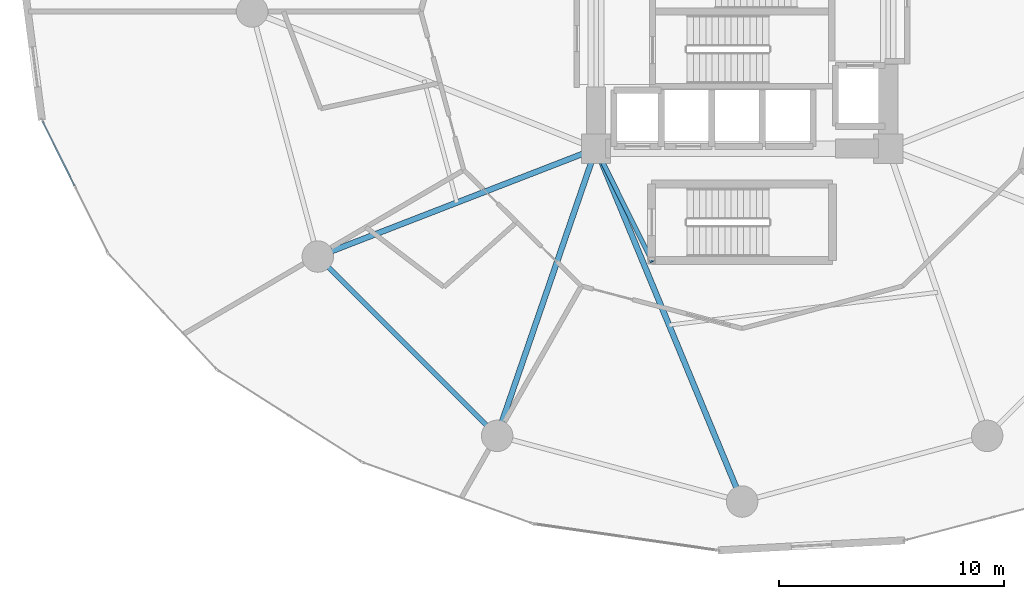
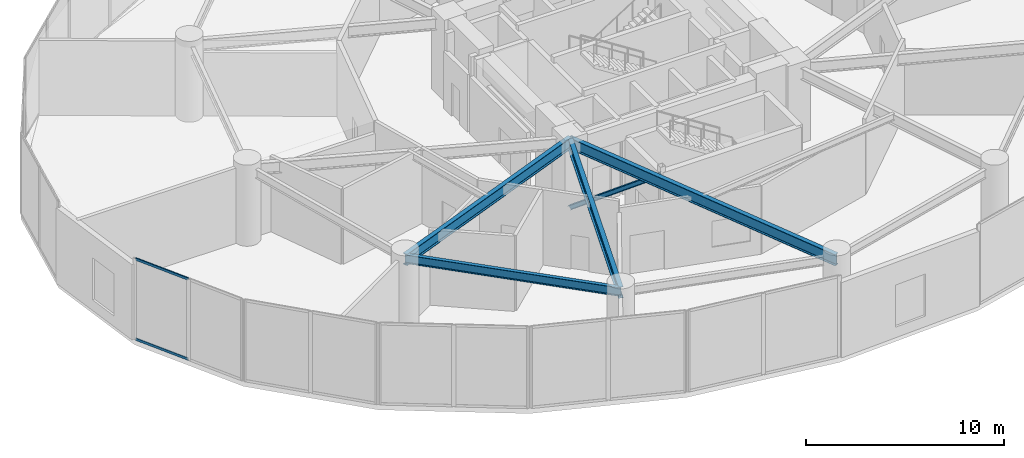
# One storey, part 6 of 31: 4 beams, 3 members, 1 element without a shape of its own.
"""IFC4 building model written with IfcOpenShell, lengths in metres."""

from ifc_helpers import new_model, si_unit, direction, frame, origin, origin_2d, place, context, subcontext, project, spatial, hollow_rectangle, i_section, extrude, source, transform, mapped, material, layer, layer_set, material_profile, profile_set, type_object, element, aggregate, save


model = new_model("IFC4")

# Units and contexts
model_context = context("Model", 3, precision=1e-05, world=origin(), true_north=direction((0.0, 1.0)))
body_context = subcontext(model_context, "Body", "Model", "MODEL_VIEW")
ifc_project = project(units=[si_unit("LENGTHUNIT", "METRE"), si_unit("AREAUNIT", "SQUARE_METRE"), si_unit("VOLUMEUNIT", "CUBIC_METRE"), si_unit("PLANEANGLEUNIT", "RADIAN"), si_unit("MASSUNIT", "GRAM", prefix="KILO")], contexts=[model_context])

# Site, building, storey
site_placement = place(None, origin())
site = spatial("IfcSite", under=ifc_project, at=site_placement, CompositionType="ELEMENT")
building_placement = place(site_placement, origin())
building = spatial("IfcBuilding", under=site, at=building_placement, Name="Solvirekh Grand Hotel", CompositionType="ELEMENT")
storey_placement = place(building_placement, frame((0.0, 0.0, 18.60009765625)))
storey = spatial("IfcBuildingStorey", under=building, at=storey_placement, Name="L03", CompositionType="ELEMENT", Elevation=18.60009765625)

# Beams
ifc_material_1 = material(Name="Steel S355", Category="steel")
ifc_material_profile_1 = material_profile(ifc_material_1, i_section(OverallWidth=0.2548828125, OverallDepth=0.695068359375, WebThickness=0.01611328125, FlangeThickness=0.028076171875, FilletRadius=0.01611328125, at=origin_2d()), Name="W690X217")
ifc_profile_set_1 = profile_set([ifc_material_profile_1], Name="Steel S355")
beam_type_1 = type_object("IfcBeamType", Name="Beam_Primary_W690", PredefinedType="BEAM", material=ifc_profile_set_1)
beam_1_placement = place(storey_placement, frame((-6.5, -6.10009765625, 4.2919921875), z_axis=(-0.932365862704, -0.361516110381, 0.0), x_axis=(0.361516110381, -0.932365862704, 0.0)))
element("IfcBeam", 1, at=beam_1_placement, inside=storey, type_object=beam_type_1, Name="L03 radial floor beam R08", PredefinedType="BEAM", context=body_context, shape_type="SweptSolid", body=[
    extrude(i_section(OverallWidth=0.2548828125, OverallDepth=0.695068359375, WebThickness=0.01611328125, FlangeThickness=0.028076171875, FilletRadius=0.01611328125, at=origin_2d()), origin(), (0.0, 0.0, 1.0), 13.27685546875),
])
beam_2_placement = place(storey_placement, frame((-6.5, -6.10009765625, 4.2919921875), z_axis=(-0.325555300394, -0.94552300151, 0.0), x_axis=(0.94552300151, -0.325555300394, 0.0)))
element("IfcBeam", 2, at=beam_2_placement, inside=storey, type_object=beam_type_1, Name="L03 radial floor beam R09", PredefinedType="BEAM", context=body_context, shape_type="SweptSolid", body=[
    extrude(i_section(OverallWidth=0.2548828125, OverallDepth=0.695068359375, WebThickness=0.01611328125, FlangeThickness=0.028076171875, FilletRadius=0.01611328125, at=origin_2d()), origin(), (0.0, 0.0, 1.0), 13.51513671875),
])
beam_3_placement = place(storey_placement, frame((-6.5, -6.10009765625, 4.2919921875), z_axis=(0.382526065589, -0.923944700264, 0.0), x_axis=(0.923944700264, 0.382526065589, 0.0)))
element("IfcBeam", 3, at=beam_3_placement, inside=storey, type_object=beam_type_1, Name="L03 radial floor beam R10", PredefinedType="BEAM", context=body_context, shape_type="SweptSolid", body=[
    extrude(i_section(OverallWidth=0.2548828125, OverallDepth=0.695068359375, WebThickness=0.01611328125, FlangeThickness=0.028076171875, FilletRadius=0.01611328125, at=origin_2d()), origin(), (0.0, 0.0, 1.0), 16.9921875),
])
ifc_material_profile_2 = material_profile(ifc_material_1, i_section(OverallWidth=0.208984375, OverallDepth=0.532958984375, WebThickness=0.010009765625, FlangeThickness=0.014892578125, FilletRadius=0.013916015625, at=origin_2d()), Name="W530X92")
ifc_profile_set_2 = profile_set([ifc_material_profile_2], Name="Steel S355")
beam_type_2 = type_object("IfcBeamType", Name="Spandrel_Ring_W530", PredefinedType="SPANDREL", material=ifc_profile_set_2)
beam_4_placement = place(storey_placement, frame((-18.87890625, -10.89990234375, 4.372802734375), z_axis=(0.707106781187, -0.707106781187, 0.0), x_axis=(0.707106781187, 0.707106781187, 0.0)))
element("IfcBeam", 4, at=beam_4_placement, inside=storey, type_object=beam_type_2, Name="L03 perimeter spandrel beam 8", PredefinedType="SPANDREL", context=body_context, shape_type="SweptSolid", body=[
    extrude(i_section(OverallWidth=0.208984375, OverallDepth=0.532958984375, WebThickness=0.010009765625, FlangeThickness=0.014892578125, FilletRadius=0.013916015625, at=origin_2d()), origin(), (0.0, 0.0, 1.0), 11.283935546875),
])

# Member
ifc_material_profile_3 = material_profile(ifc_material_1, i_section(OverallWidth=0.201904296875, OverallDepth=0.2470703125, WebThickness=0.007080078125, FlangeThickness=0.010986328125, FilletRadius=0.010009765625, at=origin_2d()), Name="W250X49")
ifc_profile_set_3 = profile_set([ifc_material_profile_3], Name="Steel S355")
member_type_1 = type_object("IfcMemberType", Name="Stringer_Feature_W250", PredefinedType="STRINGER", material=ifc_profile_set_3)
member_1_placement = place(storey_placement, frame((-6.5, -6.10009765625, 0.25), z_axis=(0.355348856242, -0.714237881599, 0.602985438345), x_axis=(0.895312965643, 0.445437642719, 0.0)))
element("IfcMember", 5, at=member_1_placement, inside=storey, type_object=member_type_1, Name="L03 podium stair ST-3 steel stringer", PredefinedType="STRINGER", context=body_context, shape_type="SweptSolid", body=[
    extrude(i_section(OverallWidth=0.201904296875, OverallDepth=0.2470703125, WebThickness=0.007080078125, FlangeThickness=0.010986328125, FilletRadius=0.010009765625, at=origin_2d()), origin(), (0.0, 0.0, 1.0), 6.96533203125),
])

# Curtain wall, members
ifc_material_2 = material(Name="Anodized Bronze Aluminium 6063-T6", Category="aluminium")
ifc_layer = layer(ifc_material_2, 0.219970703125)
ifc_layer_set = layer_set([ifc_layer], Name="Anodized Bronze Aluminium 6063-T6")
curtain_wall_type = type_object("IfcCurtainWallType", Name="CW_Sys1_PodiumBronzeUnitised", PredefinedType="NOTDEFINED", material=ifc_layer_set)
curtain_wall_placement = place(storey_placement, origin())
curtain_wall = element("IfcCurtainWall", 6, at=curtain_wall_placement, inside=storey, type_object=curtain_wall_type, Name="L03 unitised bronze-glass curtain wall CW-L03-C14", PredefinedType="NOTDEFINED")
ifc_material_profile_4 = material_profile(ifc_material_2, hollow_rectangle(XDim=0.06494140625, YDim=0.14990234375, WallThickness=0.0048828125, at=origin_2d()), Name="ALU RHS 150X65X5")
ifc_profile_set_4 = profile_set([ifc_material_profile_4], Name="Anodized Bronze Aluminium 6063-T6")
member_type_2 = type_object("IfcMemberType", Name="CWTransom_Sys1", PredefinedType="USERDEFINED", material=ifc_profile_set_4)
shared_shape = source(origin(), body_context, "Body", "SweptSolid", [
    extrude(hollow_rectangle(XDim=0.06494140625, YDim=0.14990234375, WallThickness=0.0048828125, at=origin_2d()), origin(), (0.0, 0.0, 1.0), 3.19384765625),
])
member_2_placement = place(storey_placement, frame((-31.122802734375, -4.89208984375, 0.032470703125), z_axis=(0.443908182291, -0.896072277048, 0.0), x_axis=(0.896072277048, 0.443908182291, 0.0)))
member_2 = element("IfcMember", 7, at=member_2_placement, type_object=member_type_2, Name="U01 transom 1.1", ObjectType="TRANSOM", PredefinedType="USERDEFINED", context=body_context, shape_type="MappedRepresentation", body=[
    mapped(shared_shape, transform((0.0, 0.0, 0.0), x_axis=(1.0, 0.0, 0.0), y_axis=(0.0, 1.0, 0.0), z_axis=(0.0, 0.0, 1.0), scale=1.0)),
])
member_3_placement = place(storey_placement, frame((-31.122802734375, -4.89208984375, 4.96728515625), z_axis=(0.443908182291, -0.896072277048, 0.0), x_axis=(0.896072277048, 0.443908182291, 0.0)))
member_3 = element("IfcMember", 8, at=member_3_placement, type_object=member_type_2, Name="U01 transom 1.2", ObjectType="TRANSOM", PredefinedType="USERDEFINED", context=body_context, shape_type="MappedRepresentation", body=[
    mapped(shared_shape, transform((0.0, 0.0, 0.0), x_axis=(1.0, 0.0, 0.0), y_axis=(0.0, 1.0, 0.0), z_axis=(0.0, 0.0, 1.0), scale=1.0)),
])
aggregate(curtain_wall, [member_2, member_3])

save(model, "model.ifc")
